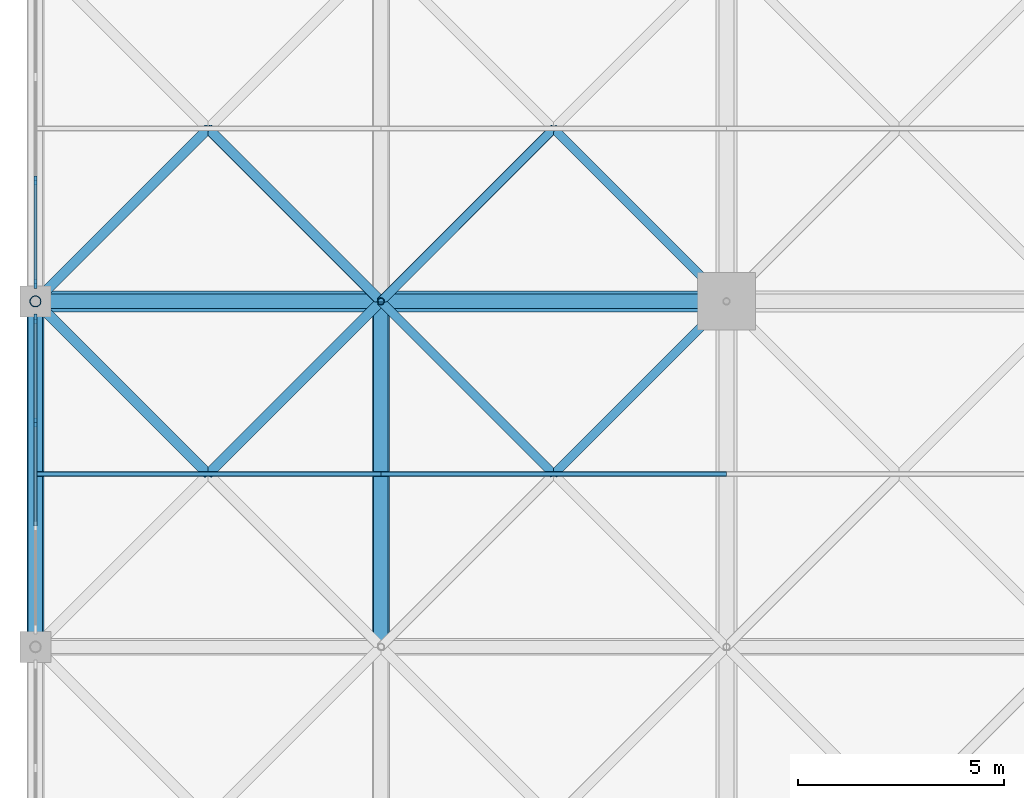
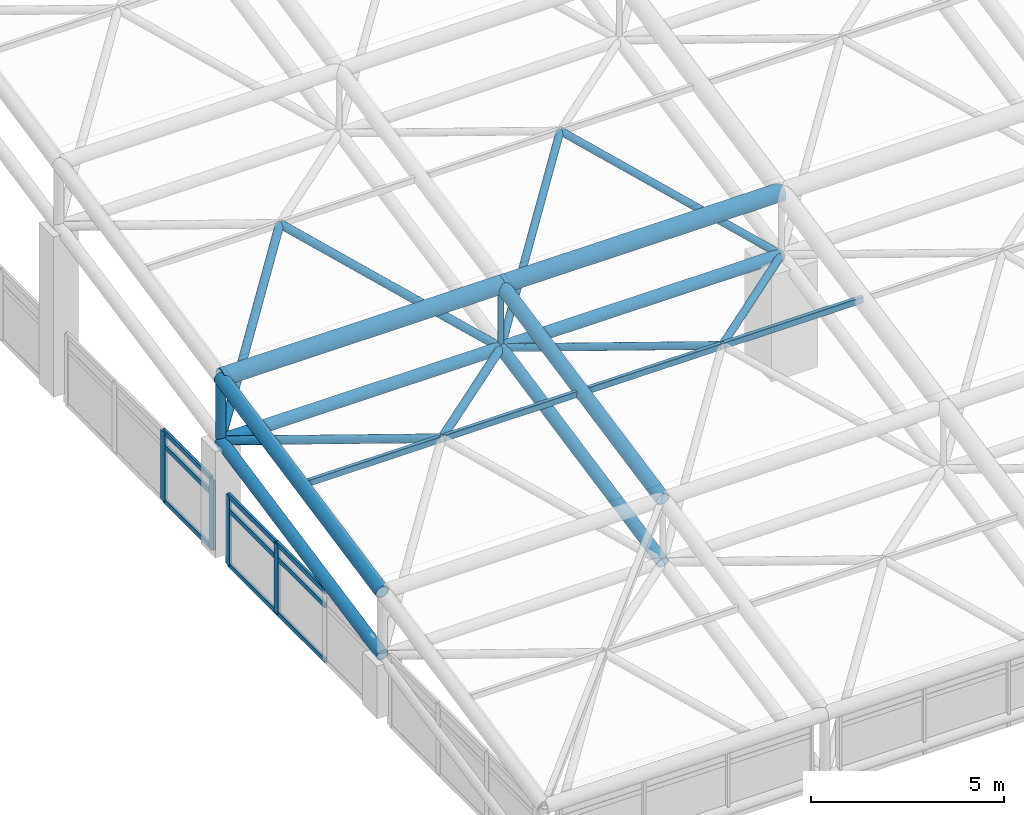
# One storey, part 6 of 81: 33 members, 2 elements without a shape of their own.
"""IFC4 building model written with IfcOpenShell, lengths in metres."""

from ifc_helpers import new_model, si_unit, direction, frame, origin, origin_2d, place, context, subcontext, project, spatial, rectangle, hollow_rectangle, hollow_circle, extrude, material, layer, layer_set, material_profile, profile_set, type_object, element, aggregate, save


model = new_model("IFC4")

# Units and contexts
model_context = context("Model", 3, precision=1e-05, world=origin(), true_north=direction((0.0, 1.0)))
body_context = subcontext(model_context, "Body", "Model", "MODEL_VIEW")
ifc_project = project(units=[si_unit("LENGTHUNIT", "METRE"), si_unit("AREAUNIT", "SQUARE_METRE"), si_unit("VOLUMEUNIT", "CUBIC_METRE"), si_unit("PLANEANGLEUNIT", "RADIAN"), si_unit("MASSUNIT", "GRAM", prefix="KILO")], contexts=[model_context])

# Site, building, storey
site_placement = place(None, origin())
site = spatial("IfcSite", under=ifc_project, at=site_placement, CompositionType="ELEMENT")
building_placement = place(site_placement, origin())
building = spatial("IfcBuilding", under=site, at=building_placement, Name="Qawsi Khor Wholesale Market", CompositionType="ELEMENT")
storey_placement = place(building_placement, frame((0.0, 0.0, 16.199951171875)))
storey = spatial("IfcBuildingStorey", under=building, at=storey_placement, Name="L03", CompositionType="ELEMENT", Elevation=16.199951171875)

# Curtain wall, members
ifc_material_1 = material(Name="Aluminium Anodised Bronze", Category="aluminium")
ifc_layer = layer(ifc_material_1, 0.199951171875, Name="Aluminium Anodised Bronze")
ifc_layer_set = layer_set([ifc_layer], Name="Aluminium Anodised Bronze")
curtain_wall_type = type_object("IfcCurtainWallType", Name="Trading Hall North-Light Curtain Wall CW-03", PredefinedType="NOTDEFINED", material=ifc_layer_set)
curtain_wall_1_placement = place(storey_placement, origin())
curtain_wall_1 = element("IfcCurtainWall", 1, at=curtain_wall_1_placement, inside=storey, type_object=curtain_wall_type, Name="Curtain wall CW-CW-03-L03-131", PredefinedType="NOTDEFINED")
ifc_material_profile_1 = material_profile(ifc_material_1, rectangle(XDim=0.074951171875, YDim=0.219970703125, at=origin_2d()), Name="ALU MULLION 75x220")
ifc_profile_set_1 = profile_set([ifc_material_profile_1], Name="Aluminium Anodised Bronze")
member_type_1 = type_object("IfcMemberType", Name="Curtain Wall Mullion CW-03 ALU MULLION 75x220", PredefinedType="MULLION", material=ifc_profile_set_1)
member_1_placement = place(storey_placement, frame((0.0, 55.859130859375, -0.300048828125), z_axis=(0.0, 0.0, 1.0), x_axis=(1.0, 0.0, 0.0)))
member_1 = element("IfcMember", 2, at=member_1_placement, type_object=member_type_1, Name="Mullion CW-CW-03-L03-131-M02", PredefinedType="MULLION", context=body_context, shape_type="SweptSolid", body=[
    extrude(rectangle(XDim=0.074951171875, YDim=0.219970703125, at=origin_2d()), origin(), (0.0, 0.0, 1.0), 2.2001953125),
])
member_2_placement = place(storey_placement, frame((0.0, 58.37744140625, -0.300048828125), z_axis=(0.0, 0.0, 1.0), x_axis=(1.0, 0.0, 0.0)))
member_2 = element("IfcMember", 3, at=member_2_placement, type_object=member_type_1, Name="Mullion CW-CW-03-L03-131-M03", PredefinedType="MULLION", context=body_context, shape_type="SweptSolid", body=[
    extrude(rectangle(XDim=0.074951171875, YDim=0.219970703125, at=origin_2d()), origin(), (0.0, 0.0, 1.0), 2.2001953125),
])

curtain_wall_2_placement = place(storey_placement, origin())
curtain_wall_2 = element("IfcCurtainWall", 4, at=curtain_wall_2_placement, inside=storey, type_object=curtain_wall_type, Name="Curtain wall CW-CW-03-L03-133", PredefinedType="NOTDEFINED")
member_3_placement = place(storey_placement, frame((0.0, 59.222412109375, -0.300048828125), z_axis=(0.0, 0.0, 1.0), x_axis=(1.0, 0.0, 0.0)))
member_3 = element("IfcMember", 5, at=member_3_placement, type_object=member_type_1, Name="Mullion CW-CW-03-L03-133-M00", PredefinedType="MULLION", context=body_context, shape_type="SweptSolid", body=[
    extrude(rectangle(XDim=0.074951171875, YDim=0.219970703125, at=origin_2d()), origin(), (0.0, 0.0, 1.0), 2.2001953125),
])
member_4_placement = place(storey_placement, frame((0.0, 61.74072265625, -0.300048828125), z_axis=(0.0, 0.0, 1.0), x_axis=(1.0, 0.0, 0.0)))
member_4 = element("IfcMember", 6, at=member_4_placement, type_object=member_type_1, Name="Mullion CW-CW-03-L03-133-M01", PredefinedType="MULLION", context=body_context, shape_type="SweptSolid", body=[
    extrude(rectangle(XDim=0.074951171875, YDim=0.219970703125, at=origin_2d()), origin(), (0.0, 0.0, 1.0), 2.2001953125),
])

# Member
ifc_material_profile_2 = material_profile(ifc_material_1, rectangle(XDim=0.070068359375, YDim=0.14990234375, at=origin_2d()), Name="ALU TRANSOM 70x150")
ifc_profile_set_2 = profile_set([ifc_material_profile_2], Name="Aluminium Anodised Bronze")
member_type_2 = type_object("IfcMemberType", Name="Curtain Wall Transom CW-03 ALU TRANSOM 70x150", PredefinedType="USERDEFINED", material=ifc_profile_set_2)
member_5_placement = place(storey_placement, frame((0.0, 53.3408203125, -0.280029296875), z_axis=(0.0, 1.0, 0.0), x_axis=(-1.0, 0.0, 0.0)))
member_5 = element("IfcMember", 7, at=member_5_placement, type_object=member_type_2, Name="Transom CW-CW-03-L03-131-T0_01", ObjectType="TRANSOM", PredefinedType="USERDEFINED", context=body_context, shape_type="SweptSolid", body=[
    extrude(rectangle(XDim=0.070068359375, YDim=0.14990234375, at=origin_2d()), origin(), (0.0, 0.0, 1.0), 2.518310546875),
])

member_6_placement = place(storey_placement, frame((0.0, 55.859130859375, -0.280029296875), z_axis=(0.0, 1.0, 0.0), x_axis=(-1.0, 0.0, 0.0)))
member_6 = element("IfcMember", 8, at=member_6_placement, type_object=member_type_2, Name="Transom CW-CW-03-L03-131-T0_02", ObjectType="TRANSOM", PredefinedType="USERDEFINED", context=body_context, shape_type="SweptSolid", body=[
    extrude(rectangle(XDim=0.070068359375, YDim=0.14990234375, at=origin_2d()), origin(), (0.0, 0.0, 1.0), 2.518310546875),
])

member_7_placement = place(storey_placement, frame((0.0, 53.3408203125, 1.449951171875), z_axis=(0.0, 1.0, 0.0), x_axis=(-1.0, 0.0, 0.0)))
member_7 = element("IfcMember", 9, at=member_7_placement, type_object=member_type_2, Name="Transom CW-CW-03-L03-131-T1_01", ObjectType="TRANSOM", PredefinedType="USERDEFINED", context=body_context, shape_type="SweptSolid", body=[
    extrude(rectangle(XDim=0.070068359375, YDim=0.14990234375, at=origin_2d()), origin(), (0.0, 0.0, 1.0), 2.518310546875),
])

member_8_placement = place(storey_placement, frame((0.0, 55.859130859375, 1.449951171875), z_axis=(0.0, 1.0, 0.0), x_axis=(-1.0, 0.0, 0.0)))
member_8 = element("IfcMember", 10, at=member_8_placement, type_object=member_type_2, Name="Transom CW-CW-03-L03-131-T1_02", ObjectType="TRANSOM", PredefinedType="USERDEFINED", context=body_context, shape_type="SweptSolid", body=[
    extrude(rectangle(XDim=0.070068359375, YDim=0.14990234375, at=origin_2d()), origin(), (0.0, 0.0, 1.0), 2.518310546875),
])

member_9_placement = place(storey_placement, frame((0.0, 53.3408203125, 1.900146484375), z_axis=(0.0, 1.0, 0.0), x_axis=(-1.0, 0.0, 0.0)))
member_9 = element("IfcMember", 11, at=member_9_placement, type_object=member_type_2, Name="Transom CW-CW-03-L03-131-T2_01", ObjectType="TRANSOM", PredefinedType="USERDEFINED", context=body_context, shape_type="SweptSolid", body=[
    extrude(rectangle(XDim=0.070068359375, YDim=0.14990234375, at=origin_2d()), origin(), (0.0, 0.0, 1.0), 2.518310546875),
])

member_10_placement = place(storey_placement, frame((0.0, 55.859130859375, 1.900146484375), z_axis=(0.0, 1.0, 0.0), x_axis=(-1.0, 0.0, 0.0)))
member_10 = element("IfcMember", 12, at=member_10_placement, type_object=member_type_2, Name="Transom CW-CW-03-L03-131-T2_02", ObjectType="TRANSOM", PredefinedType="USERDEFINED", context=body_context, shape_type="SweptSolid", body=[
    extrude(rectangle(XDim=0.070068359375, YDim=0.14990234375, at=origin_2d()), origin(), (0.0, 0.0, 1.0), 2.518310546875),
])

aggregate(curtain_wall_1, [member_1, member_2, member_5, member_6, member_7, member_8, member_9, member_10])

member_11_placement = place(storey_placement, frame((0.0, 59.222412109375, -0.280029296875), z_axis=(0.0, 1.0, 0.0), x_axis=(-1.0, 0.0, 0.0)))
member_11 = element("IfcMember", 13, at=member_11_placement, type_object=member_type_2, Name="Transom CW-CW-03-L03-133-T0_00", ObjectType="TRANSOM", PredefinedType="USERDEFINED", context=body_context, shape_type="SweptSolid", body=[
    extrude(rectangle(XDim=0.070068359375, YDim=0.14990234375, at=origin_2d()), origin(), (0.0, 0.0, 1.0), 2.518310546875),
])

member_12_placement = place(storey_placement, frame((0.0, 59.222412109375, 1.449951171875), z_axis=(0.0, 1.0, 0.0), x_axis=(-1.0, 0.0, 0.0)))
member_12 = element("IfcMember", 14, at=member_12_placement, type_object=member_type_2, Name="Transom CW-CW-03-L03-133-T1_00", ObjectType="TRANSOM", PredefinedType="USERDEFINED", context=body_context, shape_type="SweptSolid", body=[
    extrude(rectangle(XDim=0.070068359375, YDim=0.14990234375, at=origin_2d()), origin(), (0.0, 0.0, 1.0), 2.518310546875),
])

member_13_placement = place(storey_placement, frame((0.0, 59.222412109375, 1.900146484375), z_axis=(0.0, 1.0, 0.0), x_axis=(-1.0, 0.0, 0.0)))
member_13 = element("IfcMember", 15, at=member_13_placement, type_object=member_type_2, Name="Transom CW-CW-03-L03-133-T2_00", ObjectType="TRANSOM", PredefinedType="USERDEFINED", context=body_context, shape_type="SweptSolid", body=[
    extrude(rectangle(XDim=0.070068359375, YDim=0.14990234375, at=origin_2d()), origin(), (0.0, 0.0, 1.0), 2.518310546875),
])

aggregate(curtain_wall_2, [member_3, member_4, member_11, member_12, member_13])

# Members
ifc_material_2 = material(Name="Steel S355", Category="steel")
ifc_material_profile_3 = material_profile(ifc_material_2, hollow_circle(Radius=0.177734375, WallThickness=0.01611328125, at=origin_2d()), Name="CHS 355.6x16.0")
ifc_profile_set_3 = profile_set([ifc_material_profile_3], Name="Steel S355")
member_type_3 = type_object("IfcMemberType", Name="Space-Frame Bottom Chord CHS 355.6x16.0", PredefinedType="CHORD", material=ifc_profile_set_3)
member_14_placement = place(storey_placement, frame((0.0, 50.39990234375, 1.670166015625), z_axis=(0.0, 0.98013111127, 0.198350711418), x_axis=(-1.0, 0.0, 0.0)))
element("IfcMember", 16, at=member_14_placement, inside=storey, type_object=member_type_3, Name="Space frame bottom chord Y WH (0,6)", PredefinedType="CHORD", context=body_context, shape_type="SweptSolid", body=[
    extrude(hollow_circle(Radius=0.177734375, WallThickness=0.01611328125, at=origin_2d()), origin(), (0.0, 0.0, 1.0), 8.5703125),
])
member_15_placement = place(storey_placement, frame((0.0, 58.800048828125, 3.3701171875), z_axis=(1.0, 0.0, 0.0), x_axis=(0.0, 1.0, 0.0)))
element("IfcMember", 17, at=member_15_placement, inside=storey, type_object=member_type_3, Name="Space frame bottom chord X WH (0,7)", PredefinedType="CHORD", context=body_context, shape_type="SweptSolid", body=[
    extrude(hollow_circle(Radius=0.177734375, WallThickness=0.01611328125, at=origin_2d()), origin(), (0.0, 0.0, 1.0), 8.39990234375),
])
member_16_placement = place(storey_placement, frame((8.39990234375, 50.39990234375, 1.670166015625), z_axis=(0.0, 0.98013111127, 0.198350711418), x_axis=(-1.0, 0.0, 0.0)))
element("IfcMember", 18, at=member_16_placement, inside=storey, type_object=member_type_3, Name="Space frame bottom chord Y WH (1,6)", PredefinedType="CHORD", context=body_context, shape_type="SweptSolid", body=[
    extrude(hollow_circle(Radius=0.177734375, WallThickness=0.01611328125, at=origin_2d()), origin(), (0.0, 0.0, 1.0), 8.5703125),
])
member_17_placement = place(storey_placement, frame((8.39990234375, 58.800048828125, 3.3701171875), z_axis=(1.0, 0.0, 0.0), x_axis=(0.0, 1.0, 0.0)))
element("IfcMember", 19, at=member_17_placement, inside=storey, type_object=member_type_3, Name="Space frame bottom chord X WH (1,7)", PredefinedType="CHORD", context=body_context, shape_type="SweptSolid", body=[
    extrude(hollow_circle(Radius=0.177734375, WallThickness=0.01611328125, at=origin_2d()), origin(), (0.0, 0.0, 1.0), 8.400146484375),
])
ifc_material_profile_4 = material_profile(ifc_material_2, hollow_circle(Radius=0.136474609375, WallThickness=0.012451171875, at=origin_2d()), Name="CHS 273.0x12.5")
ifc_profile_set_4 = profile_set([ifc_material_profile_4], Name="Steel S355")
member_type_4 = type_object("IfcMemberType", Name="Space-Frame Edge Post CHS 273.0x12.5", PredefinedType="POST", material=ifc_profile_set_4)
member_18_placement = place(storey_placement, frame((0.0, 58.800048828125, 3.3701171875), z_axis=(0.0, 0.0, 1.0), x_axis=(1.0, 0.0, 0.0)))
element("IfcMember", 20, at=member_18_placement, inside=storey, type_object=member_type_4, Name="Space frame post WH (0,7)", PredefinedType="POST", context=body_context, shape_type="SweptSolid", body=[
    extrude(hollow_circle(Radius=0.136474609375, WallThickness=0.012451171875, at=origin_2d()), origin(), (0.0, 0.0, 1.0), 2.0),
])
ifc_material_profile_5 = material_profile(ifc_material_2, hollow_circle(Radius=0.122314453125, WallThickness=0.012451171875, at=origin_2d()), Name="CHS 244.5x12.5")
ifc_profile_set_5 = profile_set([ifc_material_profile_5], Name="Steel S355")
member_type_5 = type_object("IfcMemberType", Name="Space-Frame Heavy Diagonal CHS 244.5x12.5", PredefinedType="POST", material=ifc_profile_set_5)
for number, where, z_axis, x_axis, name in (
    (21, (8.39990234375, 58.800048828125, 3.3701171875), (-0.694216714393, -0.694216714393, 0.190069216113), (0.707106781187, -0.707106781187, 0.0), "Space frame diagonal WH (0,6)-3"),
    (22, (0.0, 58.800048828125, 3.3701171875), (0.694216714393, -0.694216714393, 0.190069216113), (0.707106781187, 0.707106781187, 0.0), "Space frame diagonal WH (0,6)-4"),
):
    element("IfcMember", number, at=place(storey_placement, frame(where, z_axis=z_axis, x_axis=x_axis)), inside=storey, type_object=member_type_5, Name=name, PredefinedType="POST", context=body_context, shape_type="SweptSolid", body=[
        extrude(hollow_circle(Radius=0.122314453125, WallThickness=0.012451171875, at=origin_2d()), origin(), (0.0, 0.0, 1.0), 6.0498046875),
    ])
for number, where, z_axis, x_axis, name in (
    (23, (0.0, 58.800048828125, 3.3701171875), (0.637521961484, 0.637521961484, 0.432586982294), (-0.707106781187, 0.707106781187, 0.0), "Space frame diagonal WH (0,7)-1"),
    (24, (8.39990234375, 58.800048828125, 3.3701171875), (-0.637521961484, 0.637521961484, 0.432586982294), (-0.707106781187, -0.707106781187, 0.0), "Space frame diagonal WH (0,7)-2"),
):
    element("IfcMember", number, at=place(storey_placement, frame(where, z_axis=z_axis, x_axis=x_axis)), inside=storey, type_object=member_type_5, Name=name, PredefinedType="POST", context=body_context, shape_type="SweptSolid", body=[
        extrude(hollow_circle(Radius=0.122314453125, WallThickness=0.012451171875, at=origin_2d()), origin(), (0.0, 0.0, 1.0), 6.587890625),
    ])
ifc_material_profile_6 = material_profile(ifc_material_2, hollow_rectangle(XDim=0.1201171875, YDim=0.199951171875, WallThickness=0.008056640625, InnerFilletRadius=0.008056640625, OuterFilletRadius=0.01611328125, at=origin_2d()), Name="RHS 200x120x8.0")
ifc_profile_set_6 = profile_set([ifc_material_profile_6], Name="Steel S355")
member_type_6 = type_object("IfcMemberType", Name="Space-Frame Heavy Purlin RHS 200x120x8.0", PredefinedType="PURLIN", material=ifc_profile_set_6)
member_19_placement = place(storey_placement, frame((0.0, 54.60009765625, 4.52001953125), z_axis=(1.0, 0.0, 0.0), x_axis=(0.0, 1.0, 0.0)))
element("IfcMember", 25, at=member_19_placement, inside=storey, type_object=member_type_6, Name="Space frame purlin WH (0,6)", PredefinedType="PURLIN", context=body_context, shape_type="SweptSolid", body=[
    extrude(hollow_rectangle(XDim=0.1201171875, YDim=0.199951171875, WallThickness=0.008056640625, InnerFilletRadius=0.008056640625, OuterFilletRadius=0.01611328125, at=origin_2d()), origin(), (0.0, 0.0, 1.0), 8.39990234375),
])
member_20_placement = place(storey_placement, frame((8.39990234375, 54.60009765625, 4.52001953125), z_axis=(1.0, 0.0, 0.0), x_axis=(0.0, 1.0, 0.0)))
element("IfcMember", 26, at=member_20_placement, inside=storey, type_object=member_type_6, Name="Space frame purlin WH (1,6)", PredefinedType="PURLIN", context=body_context, shape_type="SweptSolid", body=[
    extrude(hollow_rectangle(XDim=0.1201171875, YDim=0.199951171875, WallThickness=0.008056640625, InnerFilletRadius=0.008056640625, OuterFilletRadius=0.01611328125, at=origin_2d()), origin(), (0.0, 0.0, 1.0), 8.400146484375),
])
ifc_material_profile_7 = material_profile(ifc_material_2, hollow_circle(Radius=0.109619140625, WallThickness=0.010009765625, at=origin_2d()), Name="CHS 219.1x10.0")
ifc_profile_set_7 = profile_set([ifc_material_profile_7], Name="Steel S355")
member_type_7 = type_object("IfcMemberType", Name="Space-Frame Inner Diagonal CHS 219.1x10.0", PredefinedType="RAFTER", material=ifc_profile_set_7)
member_21_placement = place(storey_placement, frame((16.800048828125, 58.800048828125, 3.3701171875), z_axis=(-0.694216714393, -0.694216714393, 0.190069216113), x_axis=(0.707106781187, -0.707106781187, 0.0)))
element("IfcMember", 27, at=member_21_placement, inside=storey, type_object=member_type_7, Name="Space frame diagonal WH (1,6)-3", PredefinedType="RAFTER", context=body_context, shape_type="SweptSolid", body=[
    extrude(hollow_circle(Radius=0.109619140625, WallThickness=0.010009765625, at=origin_2d()), origin(), (0.0, 0.0, 1.0), 6.0498046875),
])
member_22_placement = place(storey_placement, frame((8.39990234375, 58.800048828125, 3.3701171875), z_axis=(0.694237619642, -0.694197266374, 0.19006389145), x_axis=(0.70708622964, 0.707127332136, 0.0)))
element("IfcMember", 28, at=member_22_placement, inside=storey, type_object=member_type_7, Name="Space frame diagonal WH (1,6)-4", PredefinedType="RAFTER", context=body_context, shape_type="SweptSolid", body=[
    extrude(hollow_circle(Radius=0.109619140625, WallThickness=0.010009765625, at=origin_2d()), origin(), (0.0, 0.0, 1.0), 6.050048828125),
])
member_23_placement = place(storey_placement, frame((8.39990234375, 58.800048828125, 3.3701171875), z_axis=(0.637543957519, 0.637506899628, 0.432576762155), x_axis=(-0.70708622964, 0.707127332136, 0.0)))
element("IfcMember", 29, at=member_23_placement, inside=storey, type_object=member_type_7, Name="Space frame diagonal WH (1,7)-1", PredefinedType="RAFTER", context=body_context, shape_type="SweptSolid", body=[
    extrude(hollow_circle(Radius=0.109619140625, WallThickness=0.010009765625, at=origin_2d()), origin(), (0.0, 0.0, 1.0), 6.588134765625),
])
member_24_placement = place(storey_placement, frame((16.800048828125, 58.800048828125, 3.3701171875), z_axis=(-0.637521961484, 0.637521961484, 0.432586982294), x_axis=(-0.707106781187, -0.707106781187, 0.0)))
element("IfcMember", 30, at=member_24_placement, inside=storey, type_object=member_type_7, Name="Space frame diagonal WH (1,7)-2", PredefinedType="RAFTER", context=body_context, shape_type="SweptSolid", body=[
    extrude(hollow_circle(Radius=0.109619140625, WallThickness=0.010009765625, at=origin_2d()), origin(), (0.0, 0.0, 1.0), 6.587890625),
])
ifc_material_profile_8 = material_profile(ifc_material_2, hollow_circle(Radius=0.25390625, WallThickness=0.02490234375, at=origin_2d()), Name="CHS 508.0x25.0")
ifc_profile_set_8 = profile_set([ifc_material_profile_8], Name="Steel S355")
member_type_8 = type_object("IfcMemberType", Name="Space-Frame Main Chord CHS 508.0x25.0", PredefinedType="CHORD", material=ifc_profile_set_8)
member_25_placement = place(storey_placement, frame((0.0, 58.800048828125, 5.3701171875), z_axis=(1.0, 0.0, 0.0), x_axis=(0.0, 1.0, 0.0)))
element("IfcMember", 31, at=member_25_placement, inside=storey, type_object=member_type_8, Name="Space frame top chord X WH (0,7)", PredefinedType="CHORD", context=body_context, shape_type="SweptSolid", body=[
    extrude(hollow_circle(Radius=0.25390625, WallThickness=0.02490234375, at=origin_2d()), origin(), (0.0, 0.0, 1.0), 8.39990234375),
])
member_26_placement = place(storey_placement, frame((8.39990234375, 58.800048828125, 5.3701171875), z_axis=(1.0, 0.0, 0.0), x_axis=(0.0, 1.0, 0.0)))
element("IfcMember", 32, at=member_26_placement, inside=storey, type_object=member_type_8, Name="Space frame top chord X WH (1,7)", PredefinedType="CHORD", context=body_context, shape_type="SweptSolid", body=[
    extrude(hollow_circle(Radius=0.25390625, WallThickness=0.02490234375, at=origin_2d()), origin(), (0.0, 0.0, 1.0), 8.400146484375),
])
ifc_material_profile_9 = material_profile(ifc_material_2, hollow_circle(Radius=0.203125, WallThickness=0.02001953125, at=origin_2d()), Name="CHS 406.4x20.0")
ifc_profile_set_9 = profile_set([ifc_material_profile_9], Name="Steel S355")
member_type_9 = type_object("IfcMemberType", Name="Space-Frame Top Chord CHS 406.4x20.0", PredefinedType="CHORD", material=ifc_profile_set_9)
for number, where, z_axis, x_axis, name in (
    (33, (0.0, 50.39990234375, 3.670166015625), (0.0, 0.98013111127, 0.198350711418), (-1.0, 0.0, 0.0), "Space frame top chord Y WH (0,6)"),
    (34, (8.39990234375, 50.39990234375, 3.670166015625), (0.0, 0.98013111127, 0.198350711418), (-1.0, 0.0, 0.0), "Space frame top chord Y WH (1,6)"),
):
    element("IfcMember", number, at=place(storey_placement, frame(where, z_axis=z_axis, x_axis=x_axis)), inside=storey, type_object=member_type_9, Name=name, PredefinedType="CHORD", context=body_context, shape_type="SweptSolid", body=[
        extrude(hollow_circle(Radius=0.203125, WallThickness=0.02001953125, at=origin_2d()), origin(), (0.0, 0.0, 1.0), 8.5703125),
    ])
ifc_material_profile_10 = material_profile(ifc_material_2, hollow_circle(Radius=0.084228515625, WallThickness=0.008056640625, at=origin_2d()), Name="CHS 168.3x8.0")
ifc_profile_set_10 = profile_set([ifc_material_profile_10], Name="Steel S355")
member_type_10 = type_object("IfcMemberType", Name="Space-Frame Vertical Strut CHS 168.3x8.0", PredefinedType="STRUT", material=ifc_profile_set_10)
member_27_placement = place(storey_placement, frame((8.39990234375, 58.800048828125, 3.3701171875), z_axis=(0.0, 0.0, 1.0), x_axis=(1.0, 0.0, 0.0)))
element("IfcMember", 35, at=member_27_placement, inside=storey, type_object=member_type_10, Name="Space frame post WH (1,7)", PredefinedType="STRUT", context=body_context, shape_type="SweptSolid", body=[
    extrude(hollow_circle(Radius=0.084228515625, WallThickness=0.008056640625, at=origin_2d()), origin(), (0.0, 0.0, 1.0), 2.0),
])

save(model, "model.ifc")
